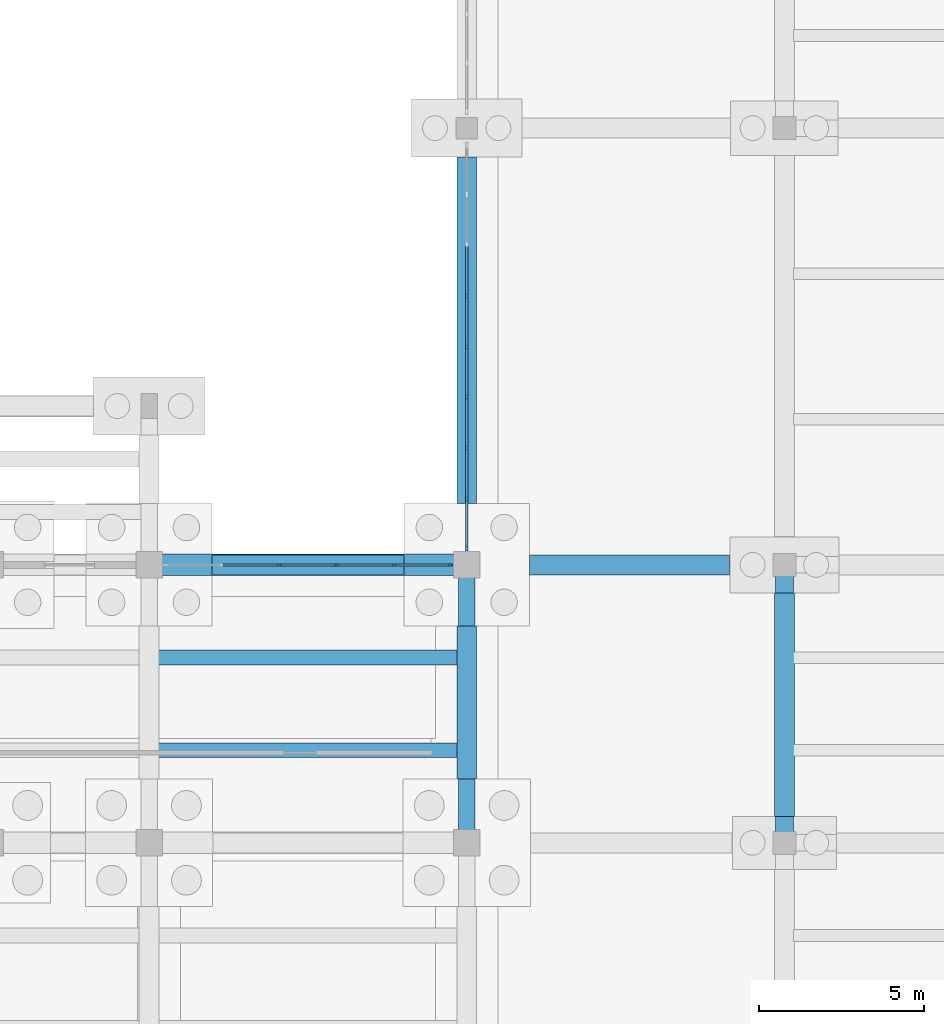
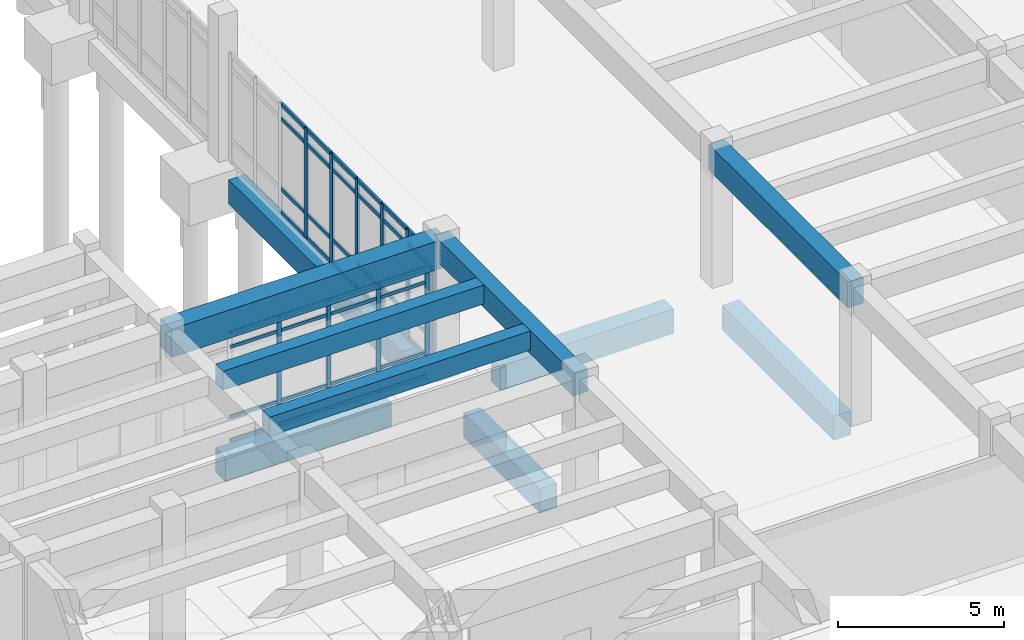
# One storey, part 44 of 102: 50 members, 10 beams, 2 elements without a shape of their own.
"""IFC4 building model written with IfcOpenShell, lengths in metres."""

from ifc_helpers import new_model, si_unit, direction, frame, origin, origin_2d, place, context, subcontext, project, spatial, rectangle, extrude, material, layer, layer_set, material_profile, profile_set, type_object, element, aggregate, save


model = new_model("IFC4")

# Units and contexts
model_context = context("Model", 3, precision=1e-05, world=origin(), true_north=direction((0.0, 1.0)))
body_context = subcontext(model_context, "Body", "Model", "MODEL_VIEW")
ifc_project = project(units=[si_unit("LENGTHUNIT", "METRE"), si_unit("AREAUNIT", "SQUARE_METRE"), si_unit("VOLUMEUNIT", "CUBIC_METRE"), si_unit("PLANEANGLEUNIT", "RADIAN"), si_unit("MASSUNIT", "GRAM", prefix="KILO")], contexts=[model_context])

# Site, building, storey
site_placement = place(None, origin())
site = spatial("IfcSite", under=ifc_project, at=site_placement, CompositionType="ELEMENT")
building_placement = place(site_placement, origin())
building = spatial("IfcBuilding", under=site, at=building_placement, Name="Kolvemor Railside Polytechnic", CompositionType="ELEMENT")
storey_placement = place(building_placement, origin())
storey = spatial("IfcBuildingStorey", under=building, at=storey_placement, Name="L00", CompositionType="ELEMENT", Elevation=0.0)

# Beams
ifc_material_1 = material(Name="Concrete C40/50", Category="concrete")
ifc_material_profile_1 = material_profile(ifc_material_1, rectangle(XDim=0.550048828125, YDim=0.949951171875, at=origin_2d()), Name="RC550x950")
ifc_profile_set_1 = profile_set([ifc_material_profile_1], Name="Concrete C40/50")
beam_type_1 = type_object("IfcBeamType", Name="BM-RC-GIRD", PredefinedType="BEAM", material=ifc_profile_set_1)
beam_1_placement = place(storey_placement, frame((144.0, 30.0, 4.635009765625), z_axis=(0.0, 1.0, 0.0), x_axis=(-1.0, 0.0, 0.0)))
element("IfcBeam", 1, at=beam_1_placement, inside=storey, type_object=beam_type_1, Name="Primary Girder L01-GY 0381", PredefinedType="BEAM", context=body_context, shape_type="SweptSolid", body=[
    extrude(rectangle(XDim=0.550048828125, YDim=0.949951171875, at=origin_2d()), origin(), (0.0, 0.0, 1.0), 8.39990234375),
])
ifc_material_2 = material(Name="Concrete C40/50", Category="concrete")
ifc_material_profile_2 = material_profile(ifc_material_2, rectangle(XDim=0.64990234375, YDim=1.050048828125, at=origin_2d()), Name="RC650x1050")
ifc_profile_set_2 = profile_set([ifc_material_profile_2], Name="Concrete C40/50")
beam_type_2 = type_object("IfcBeamType", Name="BM-RC-GIRD2", PredefinedType="BEAM", material=ifc_profile_set_2)
beam_2_placement = place(storey_placement, frame((124.800048828125, 38.39990234375, 4.5849609375), z_axis=(1.0, 0.0, 0.0), x_axis=(0.0, 1.0, 0.0)))
element("IfcBeam", 2, at=beam_2_placement, inside=storey, type_object=beam_type_2, Name="Primary Girder L01-GX 0235", PredefinedType="BEAM", context=body_context, shape_type="SweptSolid", body=[
    extrude(rectangle(XDim=0.64990234375, YDim=1.050048828125, at=origin_2d()), origin(), (0.0, 0.0, 1.0), 9.599853515625),
])
ifc_material_3 = material(Name="Concrete C40/50", Category="concrete")
ifc_material_profile_3 = material_profile(ifc_material_3, rectangle(XDim=0.5, YDim=0.85009765625, at=origin_2d()), Name="RC500x850")
ifc_profile_set_3 = profile_set([ifc_material_profile_3], Name="Concrete C40/50")
beam_type_3 = type_object("IfcBeamType", Name="BM-RC-GIRD3", PredefinedType="BEAM", material=ifc_profile_set_3)
beam_3_placement = place(storey_placement, frame((134.39990234375, 30.0, 4.68505859375), z_axis=(0.0, 1.0, 0.0), x_axis=(-1.0, 0.0, 0.0)))
element("IfcBeam", 3, at=beam_3_placement, inside=storey, type_object=beam_type_3, Name="Primary Girder L01-GY 0271", PredefinedType="BEAM", context=body_context, shape_type="SweptSolid", body=[
    extrude(rectangle(XDim=0.5, YDim=0.85009765625, at=origin_2d()), origin(), (0.0, 0.0, 1.0), 8.39990234375),
])
ifc_material_4 = material(Name="Concrete C40/50", Category="concrete")
ifc_material_profile_4 = material_profile(ifc_material_4, rectangle(XDim=0.449951171875, YDim=0.699951171875, at=origin_2d()), Name="RC450x700")
ifc_profile_set_4 = profile_set([ifc_material_profile_4], Name="Concrete C40/50")
beam_type_4 = type_object("IfcBeamType", Name="BM-RC-SEC2", PredefinedType="JOIST", material=ifc_profile_set_4)
for number, where, z_axis, x_axis, name in (
    (4, (125.050048828125, 32.800048828125, 4.760009765625), (1.0, 0.0, 0.0), (0.0, 1.0, 0.0), "Floor Joist L01-J0336"),
    (5, (125.050048828125, 35.60009765625, 4.760009765625), (1.0, 0.0, 0.0), (0.0, 1.0, 0.0), "Floor Joist L01-J0337"),
):
    element("IfcBeam", number, at=place(storey_placement, frame(where, z_axis=z_axis, x_axis=x_axis)), inside=storey, type_object=beam_type_4, Name=name, PredefinedType="JOIST", context=body_context, shape_type="SweptSolid", body=[
        extrude(rectangle(XDim=0.449951171875, YDim=0.699951171875, at=origin_2d()), origin(), (0.0, 0.0, 1.0), 9.099853515625),
    ])
ifc_material_5 = material(Name="Concrete C40/50", Category="concrete")
ifc_material_profile_5 = material_profile(ifc_material_5, rectangle(XDim=0.60009765625, YDim=0.89990234375, at=origin_2d()), Name="RC600x900")
ifc_profile_set_5 = profile_set([ifc_material_profile_5], Name="Concrete C40/50")
beam_type_5 = type_object("IfcBeamType", Name="BM-RC-TIE", PredefinedType="BEAM", material=ifc_profile_set_5)
beam_4_placement = place(storey_placement, frame((126.701904296875, 38.39990234375, -0.75), z_axis=(1.0, 0.0, 0.0), x_axis=(0.0, 1.0, 0.0)))
element("IfcBeam", 6, at=beam_4_placement, inside=storey, type_object=beam_type_5, Name="Ground Tie Beam GTB-X122", PredefinedType="BEAM", context=body_context, shape_type="SweptSolid", body=[
    extrude(rectangle(XDim=0.60009765625, YDim=0.89990234375, at=origin_2d()), origin(), (0.0, 0.0, 1.0), 5.796142578125),
])
beam_5_placement = place(storey_placement, frame((136.302001953125, 38.39990234375, -0.75), z_axis=(1.0, 0.0, 0.0), x_axis=(0.0, 1.0, 0.0)))
element("IfcBeam", 7, at=beam_5_placement, inside=storey, type_object=beam_type_5, Name="Ground Tie Beam GTB-X123", PredefinedType="BEAM", context=body_context, shape_type="SweptSolid", body=[
    extrude(rectangle(XDim=0.60009765625, YDim=0.89990234375, at=origin_2d()), origin(), (0.0, 0.0, 1.0), 6.0458984375),
])
beam_6_placement = place(storey_placement, frame((134.39990234375, 31.927001953125, -0.75), z_axis=(0.0, 1.0, 0.0), x_axis=(-1.0, 0.0, 0.0)))
element("IfcBeam", 8, at=beam_6_placement, inside=storey, type_object=beam_type_5, Name="Ground Tie Beam GTB-Y382", PredefinedType="BEAM", context=body_context, shape_type="SweptSolid", body=[
    extrude(rectangle(XDim=0.60009765625, YDim=0.89990234375, at=origin_2d()), origin(), (0.0, 0.0, 1.0), 4.62109375),
])
beam_7_placement = place(storey_placement, frame((134.39990234375, 40.251953125, -0.75), z_axis=(0.0, 1.0, 0.0), x_axis=(-1.0, 0.0, 0.0)))
element("IfcBeam", 9, at=beam_7_placement, inside=storey, type_object=beam_type_5, Name="Ground Tie Beam GTB-Y383", PredefinedType="BEAM", context=body_context, shape_type="SweptSolid", body=[
    extrude(rectangle(XDim=0.60009765625, YDim=0.89990234375, at=origin_2d()), origin(), (0.0, 0.0, 1.0), 10.470947265625),
])
beam_8_placement = place(storey_placement, frame((144.0, 30.802001953125, -0.75), z_axis=(0.0, 1.0, 0.0), x_axis=(-1.0, 0.0, 0.0)))
element("IfcBeam", 10, at=beam_8_placement, inside=storey, type_object=beam_type_5, Name="Ground Tie Beam GTB-Y395", PredefinedType="BEAM", context=body_context, shape_type="SweptSolid", body=[
    extrude(rectangle(XDim=0.60009765625, YDim=0.89990234375, at=origin_2d()), origin(), (0.0, 0.0, 1.0), 6.74609375),
])

# Curtain wall, members
ifc_material_6 = material(Name="Anodised marine aluminium and laminated low-E glass", Category="aluminium")
ifc_layer = layer(ifc_material_6, 0.179931640625, Name="CW-UNIT-STD")
ifc_layer_set = layer_set([ifc_layer], Name="Anodised marine aluminium and laminated low-E glass")
curtain_wall_type = type_object("IfcCurtainWallType", Name="CW-UNIT-STD", PredefinedType="USERDEFINED", material=ifc_layer_set)
curtain_wall_1_placement = place(storey_placement, origin())
curtain_wall_1 = element("IfcCurtainWall", 11, at=curtain_wall_1_placement, inside=storey, type_object=curtain_wall_type, Name="Curtain Wall L00-112", ObjectType="UNITISED CURTAIN WALL", PredefinedType="USERDEFINED")
ifc_material_7 = material(Name="Anodised marine aluminium 6063-T6", Category="aluminium")
ifc_material_profile_6 = material_profile(ifc_material_7, rectangle(XDim=0.06494140625, YDim=0.14990234375, at=origin_2d()), Name="CW-MUL-65x150")
ifc_profile_set_6 = profile_set([ifc_material_profile_6], Name="Anodised marine aluminium 6063-T6")
member_type_1 = type_object("IfcMemberType", Name="CWM-65x150", PredefinedType="MULLION", material=ifc_profile_set_6)
member_1_placement = place(storey_placement, frame((133.8974609375, 38.39990234375, 0.0), z_axis=(0.0, 0.0, 1.0), x_axis=(0.0, -1.0, 0.0)))
member_1 = element("IfcMember", 12, at=member_1_placement, type_object=member_type_1, Name="CW-STD mullion 1", PredefinedType="MULLION", context=body_context, shape_type="SweptSolid", body=[
    extrude(rectangle(XDim=0.06494140625, YDim=0.14990234375, at=origin_2d()), origin(), (0.0, 0.0, 1.0), 4.0400390625),
])
member_2_placement = place(storey_placement, frame((132.197998046875, 38.39990234375, 0.0), z_axis=(0.0, 0.0, 1.0), x_axis=(0.0, -1.0, 0.0)))
member_2 = element("IfcMember", 13, at=member_2_placement, type_object=member_type_1, Name="CW-STD mullion 2", PredefinedType="MULLION", context=body_context, shape_type="SweptSolid", body=[
    extrude(rectangle(XDim=0.06494140625, YDim=0.14990234375, at=origin_2d()), origin(), (0.0, 0.0, 1.0), 4.0400390625),
])
member_3_placement = place(storey_placement, frame((130.466064453125, 38.39990234375, 0.0), z_axis=(0.0, 0.0, 1.0), x_axis=(0.0, -1.0, 0.0)))
member_3 = element("IfcMember", 14, at=member_3_placement, type_object=member_type_1, Name="CW-STD mullion 3", PredefinedType="MULLION", context=body_context, shape_type="SweptSolid", body=[
    extrude(rectangle(XDim=0.06494140625, YDim=0.14990234375, at=origin_2d()), origin(), (0.0, 0.0, 1.0), 4.0400390625),
])
member_4_placement = place(storey_placement, frame((128.73388671875, 38.39990234375, 0.0), z_axis=(0.0, 0.0, 1.0), x_axis=(0.0, -1.0, 0.0)))
member_4 = element("IfcMember", 15, at=member_4_placement, type_object=member_type_1, Name="CW-STD mullion 4", PredefinedType="MULLION", context=body_context, shape_type="SweptSolid", body=[
    extrude(rectangle(XDim=0.06494140625, YDim=0.14990234375, at=origin_2d()), origin(), (0.0, 0.0, 1.0), 4.0400390625),
])

curtain_wall_2_placement = place(storey_placement, origin())
curtain_wall_2 = element("IfcCurtainWall", 16, at=curtain_wall_2_placement, inside=storey, type_object=curtain_wall_type, Name="Curtain Wall L00-060", ObjectType="UNITISED CURTAIN WALL", PredefinedType="USERDEFINED")
ifc_material_8 = material(Name="Anodised marine aluminium 6063-T6", Category="aluminium")
ifc_material_profile_7 = material_profile(ifc_material_8, rectangle(XDim=0.074951171875, YDim=0.179931640625, at=origin_2d()), Name="CW-MUL-75x180")
ifc_profile_set_7 = profile_set([ifc_material_profile_7], Name="Anodised marine aluminium 6063-T6")
member_type_2 = type_object("IfcMemberType", Name="CWM-75x180", PredefinedType="MULLION", material=ifc_profile_set_7)
member_5_placement = place(storey_placement, frame((134.39990234375, 46.532470703125, 0.0), z_axis=(0.0, 0.0, 1.0), x_axis=(1.0, 0.0, 0.0)))
member_5 = element("IfcMember", 17, at=member_5_placement, type_object=member_type_2, Name="CW-STD mullion 4", PredefinedType="MULLION", context=body_context, shape_type="SweptSolid", body=[
    extrude(rectangle(XDim=0.074951171875, YDim=0.179931640625, at=origin_2d()), origin(), (0.0, 0.0, 1.0), 4.0400390625),
])
member_6_placement = place(storey_placement, frame((134.39990234375, 45.0, 0.0), z_axis=(0.0, 0.0, 1.0), x_axis=(1.0, 0.0, 0.0)))
member_6 = element("IfcMember", 18, at=member_6_placement, type_object=member_type_2, Name="CW-STD mullion 5", PredefinedType="MULLION", context=body_context, shape_type="SweptSolid", body=[
    extrude(rectangle(XDim=0.074951171875, YDim=0.179931640625, at=origin_2d()), origin(), (0.0, 0.0, 1.0), 4.0400390625),
])
member_7_placement = place(storey_placement, frame((134.39990234375, 43.467529296875, 0.0), z_axis=(0.0, 0.0, 1.0), x_axis=(1.0, 0.0, 0.0)))
member_7 = element("IfcMember", 19, at=member_7_placement, type_object=member_type_2, Name="CW-STD mullion 6", PredefinedType="MULLION", context=body_context, shape_type="SweptSolid", body=[
    extrude(rectangle(XDim=0.074951171875, YDim=0.179931640625, at=origin_2d()), origin(), (0.0, 0.0, 1.0), 4.0400390625),
])
member_8_placement = place(storey_placement, frame((134.39990234375, 41.93505859375, 0.0), z_axis=(0.0, 0.0, 1.0), x_axis=(1.0, 0.0, 0.0)))
member_8 = element("IfcMember", 20, at=member_8_placement, type_object=member_type_2, Name="CW-STD mullion 7", PredefinedType="MULLION", context=body_context, shape_type="SweptSolid", body=[
    extrude(rectangle(XDim=0.074951171875, YDim=0.179931640625, at=origin_2d()), origin(), (0.0, 0.0, 1.0), 4.0400390625),
])
member_9_placement = place(storey_placement, frame((134.39990234375, 40.402587890625, 0.0), z_axis=(0.0, 0.0, 1.0), x_axis=(1.0, 0.0, 0.0)))
member_9 = element("IfcMember", 21, at=member_9_placement, type_object=member_type_2, Name="CW-STD mullion 8", PredefinedType="MULLION", context=body_context, shape_type="SweptSolid", body=[
    extrude(rectangle(XDim=0.074951171875, YDim=0.179931640625, at=origin_2d()), origin(), (0.0, 0.0, 1.0), 4.0400390625),
])
member_10_placement = place(storey_placement, frame((134.39990234375, 38.907470703125, 0.0), z_axis=(0.0, 0.0, 1.0), x_axis=(1.0, 0.0, 0.0)))
member_10 = element("IfcMember", 22, at=member_10_placement, type_object=member_type_2, Name="CW-STD mullion 9", PredefinedType="MULLION", context=body_context, shape_type="SweptSolid", body=[
    extrude(rectangle(XDim=0.074951171875, YDim=0.179931640625, at=origin_2d()), origin(), (0.0, 0.0, 1.0), 4.0400390625),
])

# Member
ifc_material_9 = material(Name="Anodised marine aluminium 6063-T6", Category="aluminium")
ifc_material_profile_8 = material_profile(ifc_material_9, rectangle(XDim=0.06494140625, YDim=0.1201171875, at=origin_2d()), Name="CW-TRN-65x120")
ifc_profile_set_8 = profile_set([ifc_material_profile_8], Name="Anodised marine aluminium 6063-T6")
member_type_3 = type_object("IfcMemberType", Name="CWT-65x120", PredefinedType="USERDEFINED", material=ifc_profile_set_8)
member_11_placement = place(storey_placement, frame((133.864990234375, 38.39990234375, 0.032470703125), z_axis=(-1.0, 0.0, 0.0), x_axis=(0.0, -1.0, 0.0)))
member_11 = element("IfcMember", 23, at=member_11_placement, type_object=member_type_3, Name="CW-STD transom 1.1", ObjectType="TRANSOM", PredefinedType="USERDEFINED", context=body_context, shape_type="SweptSolid", body=[
    extrude(rectangle(XDim=0.06494140625, YDim=0.1201171875, at=origin_2d()), origin(), (0.0, 0.0, 1.0), 1.634521484375),
])

member_12_placement = place(storey_placement, frame((133.864990234375, 38.39990234375, 0.89990234375), z_axis=(-1.0, 0.0, 0.0), x_axis=(0.0, -1.0, 0.0)))
member_12 = element("IfcMember", 24, at=member_12_placement, type_object=member_type_3, Name="CW-STD transom 1.2", ObjectType="TRANSOM", PredefinedType="USERDEFINED", context=body_context, shape_type="SweptSolid", body=[
    extrude(rectangle(XDim=0.06494140625, YDim=0.1201171875, at=origin_2d()), origin(), (0.0, 0.0, 1.0), 1.634521484375),
])

member_13_placement = place(storey_placement, frame((133.864990234375, 38.39990234375, 3.489990234375), z_axis=(-1.0, 0.0, 0.0), x_axis=(0.0, -1.0, 0.0)))
member_13 = element("IfcMember", 25, at=member_13_placement, type_object=member_type_3, Name="CW-STD transom 1.3", ObjectType="TRANSOM", PredefinedType="USERDEFINED", context=body_context, shape_type="SweptSolid", body=[
    extrude(rectangle(XDim=0.06494140625, YDim=0.1201171875, at=origin_2d()), origin(), (0.0, 0.0, 1.0), 1.634521484375),
])

member_14_placement = place(storey_placement, frame((133.864990234375, 38.39990234375, 4.007568359375), z_axis=(-1.0, 0.0, 0.0), x_axis=(0.0, -1.0, 0.0)))
member_14 = element("IfcMember", 26, at=member_14_placement, type_object=member_type_3, Name="CW-STD transom 1.4", ObjectType="TRANSOM", PredefinedType="USERDEFINED", context=body_context, shape_type="SweptSolid", body=[
    extrude(rectangle(XDim=0.06494140625, YDim=0.1201171875, at=origin_2d()), origin(), (0.0, 0.0, 1.0), 1.634521484375),
])

member_15_placement = place(storey_placement, frame((132.16552734375, 38.39990234375, 0.032470703125), z_axis=(-1.0, 0.0, 0.0), x_axis=(0.0, -1.0, 0.0)))
member_15 = element("IfcMember", 27, at=member_15_placement, type_object=member_type_3, Name="CW-STD transom 2.1", ObjectType="TRANSOM", PredefinedType="USERDEFINED", context=body_context, shape_type="SweptSolid", body=[
    extrude(rectangle(XDim=0.06494140625, YDim=0.1201171875, at=origin_2d()), origin(), (0.0, 0.0, 1.0), 1.6669921875),
])

member_16_placement = place(storey_placement, frame((132.16552734375, 38.39990234375, 0.89990234375), z_axis=(-1.0, 0.0, 0.0), x_axis=(0.0, -1.0, 0.0)))
member_16 = element("IfcMember", 28, at=member_16_placement, type_object=member_type_3, Name="CW-STD transom 2.2", ObjectType="TRANSOM", PredefinedType="USERDEFINED", context=body_context, shape_type="SweptSolid", body=[
    extrude(rectangle(XDim=0.06494140625, YDim=0.1201171875, at=origin_2d()), origin(), (0.0, 0.0, 1.0), 1.6669921875),
])

member_17_placement = place(storey_placement, frame((132.16552734375, 38.39990234375, 3.489990234375), z_axis=(-1.0, 0.0, 0.0), x_axis=(0.0, -1.0, 0.0)))
member_17 = element("IfcMember", 29, at=member_17_placement, type_object=member_type_3, Name="CW-STD transom 2.3", ObjectType="TRANSOM", PredefinedType="USERDEFINED", context=body_context, shape_type="SweptSolid", body=[
    extrude(rectangle(XDim=0.06494140625, YDim=0.1201171875, at=origin_2d()), origin(), (0.0, 0.0, 1.0), 1.6669921875),
])

member_18_placement = place(storey_placement, frame((132.16552734375, 38.39990234375, 4.007568359375), z_axis=(-1.0, 0.0, 0.0), x_axis=(0.0, -1.0, 0.0)))
member_18 = element("IfcMember", 30, at=member_18_placement, type_object=member_type_3, Name="CW-STD transom 2.4", ObjectType="TRANSOM", PredefinedType="USERDEFINED", context=body_context, shape_type="SweptSolid", body=[
    extrude(rectangle(XDim=0.06494140625, YDim=0.1201171875, at=origin_2d()), origin(), (0.0, 0.0, 1.0), 1.6669921875),
])

member_19_placement = place(storey_placement, frame((130.43359375, 38.39990234375, 0.032470703125), z_axis=(-1.0, 0.0, 0.0), x_axis=(0.0, -1.0, 0.0)))
member_19 = element("IfcMember", 31, at=member_19_placement, type_object=member_type_3, Name="CW-STD transom 3.1", ObjectType="TRANSOM", PredefinedType="USERDEFINED", context=body_context, shape_type="SweptSolid", body=[
    extrude(rectangle(XDim=0.06494140625, YDim=0.1201171875, at=origin_2d()), origin(), (0.0, 0.0, 1.0), 1.6669921875),
])

member_20_placement = place(storey_placement, frame((130.43359375, 38.39990234375, 0.89990234375), z_axis=(-1.0, 0.0, 0.0), x_axis=(0.0, -1.0, 0.0)))
member_20 = element("IfcMember", 32, at=member_20_placement, type_object=member_type_3, Name="CW-STD transom 3.2", ObjectType="TRANSOM", PredefinedType="USERDEFINED", context=body_context, shape_type="SweptSolid", body=[
    extrude(rectangle(XDim=0.06494140625, YDim=0.1201171875, at=origin_2d()), origin(), (0.0, 0.0, 1.0), 1.6669921875),
])

member_21_placement = place(storey_placement, frame((130.43359375, 38.39990234375, 3.489990234375), z_axis=(-1.0, 0.0, 0.0), x_axis=(0.0, -1.0, 0.0)))
member_21 = element("IfcMember", 33, at=member_21_placement, type_object=member_type_3, Name="CW-STD transom 3.3", ObjectType="TRANSOM", PredefinedType="USERDEFINED", context=body_context, shape_type="SweptSolid", body=[
    extrude(rectangle(XDim=0.06494140625, YDim=0.1201171875, at=origin_2d()), origin(), (0.0, 0.0, 1.0), 1.6669921875),
])

member_22_placement = place(storey_placement, frame((130.43359375, 38.39990234375, 4.007568359375), z_axis=(-1.0, 0.0, 0.0), x_axis=(0.0, -1.0, 0.0)))
member_22 = element("IfcMember", 34, at=member_22_placement, type_object=member_type_3, Name="CW-STD transom 3.4", ObjectType="TRANSOM", PredefinedType="USERDEFINED", context=body_context, shape_type="SweptSolid", body=[
    extrude(rectangle(XDim=0.06494140625, YDim=0.1201171875, at=origin_2d()), origin(), (0.0, 0.0, 1.0), 1.6669921875),
])

member_23_placement = place(storey_placement, frame((128.701416015625, 38.39990234375, 0.032470703125), z_axis=(-1.0, 0.0, 0.0), x_axis=(0.0, -1.0, 0.0)))
member_23 = element("IfcMember", 35, at=member_23_placement, type_object=member_type_3, Name="CW-STD transom 4.1", ObjectType="TRANSOM", PredefinedType="USERDEFINED", context=body_context, shape_type="SweptSolid", body=[
    extrude(rectangle(XDim=0.06494140625, YDim=0.1201171875, at=origin_2d()), origin(), (0.0, 0.0, 1.0), 1.6669921875),
])

member_24_placement = place(storey_placement, frame((128.701416015625, 38.39990234375, 0.89990234375), z_axis=(-1.0, 0.0, 0.0), x_axis=(0.0, -1.0, 0.0)))
member_24 = element("IfcMember", 36, at=member_24_placement, type_object=member_type_3, Name="CW-STD transom 4.2", ObjectType="TRANSOM", PredefinedType="USERDEFINED", context=body_context, shape_type="SweptSolid", body=[
    extrude(rectangle(XDim=0.06494140625, YDim=0.1201171875, at=origin_2d()), origin(), (0.0, 0.0, 1.0), 1.6669921875),
])

member_25_placement = place(storey_placement, frame((128.701416015625, 38.39990234375, 3.489990234375), z_axis=(-1.0, 0.0, 0.0), x_axis=(0.0, -1.0, 0.0)))
member_25 = element("IfcMember", 37, at=member_25_placement, type_object=member_type_3, Name="CW-STD transom 4.3", ObjectType="TRANSOM", PredefinedType="USERDEFINED", context=body_context, shape_type="SweptSolid", body=[
    extrude(rectangle(XDim=0.06494140625, YDim=0.1201171875, at=origin_2d()), origin(), (0.0, 0.0, 1.0), 1.6669921875),
])

member_26_placement = place(storey_placement, frame((128.701416015625, 38.39990234375, 4.007568359375), z_axis=(-1.0, 0.0, 0.0), x_axis=(0.0, -1.0, 0.0)))
member_26 = element("IfcMember", 38, at=member_26_placement, type_object=member_type_3, Name="CW-STD transom 4.4", ObjectType="TRANSOM", PredefinedType="USERDEFINED", context=body_context, shape_type="SweptSolid", body=[
    extrude(rectangle(XDim=0.06494140625, YDim=0.1201171875, at=origin_2d()), origin(), (0.0, 0.0, 1.0), 1.6669921875),
])

aggregate(curtain_wall_1, [member_1, member_2, member_3, member_4, member_11, member_12, member_13, member_14, member_15, member_16, member_17, member_18, member_19, member_20, member_21, member_22, member_23, member_24, member_25, member_26])

ifc_material_10 = material(Name="Anodised marine aluminium 6063-T6", Category="aluminium")
ifc_material_profile_9 = material_profile(ifc_material_10, rectangle(XDim=0.074951171875, YDim=0.139892578125, at=origin_2d()), Name="CW-TRN-75x140")
ifc_profile_set_9 = profile_set([ifc_material_profile_9], Name="Anodised marine aluminium 6063-T6")
member_type_4 = type_object("IfcMemberType", Name="CWT-75x140", PredefinedType="USERDEFINED", material=ifc_profile_set_9)
member_27_placement = place(storey_placement, frame((134.39990234375, 48.027587890625, 0.03759765625), z_axis=(0.0, -1.0, 0.0), x_axis=(1.0, 0.0, 0.0)))
member_27 = element("IfcMember", 39, at=member_27_placement, type_object=member_type_4, Name="CW-STD transom 3.1", ObjectType="TRANSOM", PredefinedType="USERDEFINED", context=body_context, shape_type="SweptSolid", body=[
    extrude(rectangle(XDim=0.074951171875, YDim=0.139892578125, at=origin_2d()), origin(), (0.0, 0.0, 1.0), 1.45751953125),
])

member_28_placement = place(storey_placement, frame((134.39990234375, 48.027587890625, 0.89990234375), z_axis=(0.0, -1.0, 0.0), x_axis=(1.0, 0.0, 0.0)))
member_28 = element("IfcMember", 40, at=member_28_placement, type_object=member_type_4, Name="CW-STD transom 3.2", ObjectType="TRANSOM", PredefinedType="USERDEFINED", context=body_context, shape_type="SweptSolid", body=[
    extrude(rectangle(XDim=0.074951171875, YDim=0.139892578125, at=origin_2d()), origin(), (0.0, 0.0, 1.0), 1.45751953125),
])

member_29_placement = place(storey_placement, frame((134.39990234375, 48.027587890625, 3.489990234375), z_axis=(0.0, -1.0, 0.0), x_axis=(1.0, 0.0, 0.0)))
member_29 = element("IfcMember", 41, at=member_29_placement, type_object=member_type_4, Name="CW-STD transom 3.3", ObjectType="TRANSOM", PredefinedType="USERDEFINED", context=body_context, shape_type="SweptSolid", body=[
    extrude(rectangle(XDim=0.074951171875, YDim=0.139892578125, at=origin_2d()), origin(), (0.0, 0.0, 1.0), 1.45751953125),
])

member_30_placement = place(storey_placement, frame((134.39990234375, 48.027587890625, 4.00244140625), z_axis=(0.0, -1.0, 0.0), x_axis=(1.0, 0.0, 0.0)))
member_30 = element("IfcMember", 42, at=member_30_placement, type_object=member_type_4, Name="CW-STD transom 3.4", ObjectType="TRANSOM", PredefinedType="USERDEFINED", context=body_context, shape_type="SweptSolid", body=[
    extrude(rectangle(XDim=0.074951171875, YDim=0.139892578125, at=origin_2d()), origin(), (0.0, 0.0, 1.0), 1.45751953125),
])

member_31_placement = place(storey_placement, frame((134.39990234375, 46.4951171875, 0.03759765625), z_axis=(0.0, -1.0, 0.0), x_axis=(1.0, 0.0, 0.0)))
member_31 = element("IfcMember", 43, at=member_31_placement, type_object=member_type_4, Name="CW-STD transom 4.1", ObjectType="TRANSOM", PredefinedType="USERDEFINED", context=body_context, shape_type="SweptSolid", body=[
    extrude(rectangle(XDim=0.074951171875, YDim=0.139892578125, at=origin_2d()), origin(), (0.0, 0.0, 1.0), 1.45751953125),
])

member_32_placement = place(storey_placement, frame((134.39990234375, 46.4951171875, 0.89990234375), z_axis=(0.0, -1.0, 0.0), x_axis=(1.0, 0.0, 0.0)))
member_32 = element("IfcMember", 44, at=member_32_placement, type_object=member_type_4, Name="CW-STD transom 4.2", ObjectType="TRANSOM", PredefinedType="USERDEFINED", context=body_context, shape_type="SweptSolid", body=[
    extrude(rectangle(XDim=0.074951171875, YDim=0.139892578125, at=origin_2d()), origin(), (0.0, 0.0, 1.0), 1.45751953125),
])

member_33_placement = place(storey_placement, frame((134.39990234375, 46.4951171875, 3.489990234375), z_axis=(0.0, -1.0, 0.0), x_axis=(1.0, 0.0, 0.0)))
member_33 = element("IfcMember", 45, at=member_33_placement, type_object=member_type_4, Name="CW-STD transom 4.3", ObjectType="TRANSOM", PredefinedType="USERDEFINED", context=body_context, shape_type="SweptSolid", body=[
    extrude(rectangle(XDim=0.074951171875, YDim=0.139892578125, at=origin_2d()), origin(), (0.0, 0.0, 1.0), 1.45751953125),
])

member_34_placement = place(storey_placement, frame((134.39990234375, 46.4951171875, 4.00244140625), z_axis=(0.0, -1.0, 0.0), x_axis=(1.0, 0.0, 0.0)))
member_34 = element("IfcMember", 46, at=member_34_placement, type_object=member_type_4, Name="CW-STD transom 4.4", ObjectType="TRANSOM", PredefinedType="USERDEFINED", context=body_context, shape_type="SweptSolid", body=[
    extrude(rectangle(XDim=0.074951171875, YDim=0.139892578125, at=origin_2d()), origin(), (0.0, 0.0, 1.0), 1.45751953125),
])

member_35_placement = place(storey_placement, frame((134.39990234375, 44.96240234375, 0.03759765625), z_axis=(0.0, -1.0, 0.0), x_axis=(1.0, 0.0, 0.0)))
member_35 = element("IfcMember", 47, at=member_35_placement, type_object=member_type_4, Name="CW-STD transom 5.1", ObjectType="TRANSOM", PredefinedType="USERDEFINED", context=body_context, shape_type="SweptSolid", body=[
    extrude(rectangle(XDim=0.074951171875, YDim=0.139892578125, at=origin_2d()), origin(), (0.0, 0.0, 1.0), 1.45751953125),
])

member_36_placement = place(storey_placement, frame((134.39990234375, 44.96240234375, 0.89990234375), z_axis=(0.0, -1.0, 0.0), x_axis=(1.0, 0.0, 0.0)))
member_36 = element("IfcMember", 48, at=member_36_placement, type_object=member_type_4, Name="CW-STD transom 5.2", ObjectType="TRANSOM", PredefinedType="USERDEFINED", context=body_context, shape_type="SweptSolid", body=[
    extrude(rectangle(XDim=0.074951171875, YDim=0.139892578125, at=origin_2d()), origin(), (0.0, 0.0, 1.0), 1.45751953125),
])

member_37_placement = place(storey_placement, frame((134.39990234375, 44.96240234375, 3.489990234375), z_axis=(0.0, -1.0, 0.0), x_axis=(1.0, 0.0, 0.0)))
member_37 = element("IfcMember", 49, at=member_37_placement, type_object=member_type_4, Name="CW-STD transom 5.3", ObjectType="TRANSOM", PredefinedType="USERDEFINED", context=body_context, shape_type="SweptSolid", body=[
    extrude(rectangle(XDim=0.074951171875, YDim=0.139892578125, at=origin_2d()), origin(), (0.0, 0.0, 1.0), 1.45751953125),
])

member_38_placement = place(storey_placement, frame((134.39990234375, 44.96240234375, 4.00244140625), z_axis=(0.0, -1.0, 0.0), x_axis=(1.0, 0.0, 0.0)))
member_38 = element("IfcMember", 50, at=member_38_placement, type_object=member_type_4, Name="CW-STD transom 5.4", ObjectType="TRANSOM", PredefinedType="USERDEFINED", context=body_context, shape_type="SweptSolid", body=[
    extrude(rectangle(XDim=0.074951171875, YDim=0.139892578125, at=origin_2d()), origin(), (0.0, 0.0, 1.0), 1.45751953125),
])

member_39_placement = place(storey_placement, frame((134.39990234375, 43.429931640625, 0.03759765625), z_axis=(0.0, -1.0, 0.0), x_axis=(1.0, 0.0, 0.0)))
member_39 = element("IfcMember", 51, at=member_39_placement, type_object=member_type_4, Name="CW-STD transom 6.1", ObjectType="TRANSOM", PredefinedType="USERDEFINED", context=body_context, shape_type="SweptSolid", body=[
    extrude(rectangle(XDim=0.074951171875, YDim=0.139892578125, at=origin_2d()), origin(), (0.0, 0.0, 1.0), 1.45751953125),
])

member_40_placement = place(storey_placement, frame((134.39990234375, 43.429931640625, 0.89990234375), z_axis=(0.0, -1.0, 0.0), x_axis=(1.0, 0.0, 0.0)))
member_40 = element("IfcMember", 52, at=member_40_placement, type_object=member_type_4, Name="CW-STD transom 6.2", ObjectType="TRANSOM", PredefinedType="USERDEFINED", context=body_context, shape_type="SweptSolid", body=[
    extrude(rectangle(XDim=0.074951171875, YDim=0.139892578125, at=origin_2d()), origin(), (0.0, 0.0, 1.0), 1.45751953125),
])

member_41_placement = place(storey_placement, frame((134.39990234375, 43.429931640625, 3.489990234375), z_axis=(0.0, -1.0, 0.0), x_axis=(1.0, 0.0, 0.0)))
member_41 = element("IfcMember", 53, at=member_41_placement, type_object=member_type_4, Name="CW-STD transom 6.3", ObjectType="TRANSOM", PredefinedType="USERDEFINED", context=body_context, shape_type="SweptSolid", body=[
    extrude(rectangle(XDim=0.074951171875, YDim=0.139892578125, at=origin_2d()), origin(), (0.0, 0.0, 1.0), 1.45751953125),
])

member_42_placement = place(storey_placement, frame((134.39990234375, 43.429931640625, 4.00244140625), z_axis=(0.0, -1.0, 0.0), x_axis=(1.0, 0.0, 0.0)))
member_42 = element("IfcMember", 54, at=member_42_placement, type_object=member_type_4, Name="CW-STD transom 6.4", ObjectType="TRANSOM", PredefinedType="USERDEFINED", context=body_context, shape_type="SweptSolid", body=[
    extrude(rectangle(XDim=0.074951171875, YDim=0.139892578125, at=origin_2d()), origin(), (0.0, 0.0, 1.0), 1.45751953125),
])

member_43_placement = place(storey_placement, frame((134.39990234375, 41.8974609375, 0.03759765625), z_axis=(0.0, -1.0, 0.0), x_axis=(1.0, 0.0, 0.0)))
member_43 = element("IfcMember", 55, at=member_43_placement, type_object=member_type_4, Name="CW-STD transom 7.1", ObjectType="TRANSOM", PredefinedType="USERDEFINED", context=body_context, shape_type="SweptSolid", body=[
    extrude(rectangle(XDim=0.074951171875, YDim=0.139892578125, at=origin_2d()), origin(), (0.0, 0.0, 1.0), 1.45751953125),
])

member_44_placement = place(storey_placement, frame((134.39990234375, 41.8974609375, 0.89990234375), z_axis=(0.0, -1.0, 0.0), x_axis=(1.0, 0.0, 0.0)))
member_44 = element("IfcMember", 56, at=member_44_placement, type_object=member_type_4, Name="CW-STD transom 7.2", ObjectType="TRANSOM", PredefinedType="USERDEFINED", context=body_context, shape_type="SweptSolid", body=[
    extrude(rectangle(XDim=0.074951171875, YDim=0.139892578125, at=origin_2d()), origin(), (0.0, 0.0, 1.0), 1.45751953125),
])

member_45_placement = place(storey_placement, frame((134.39990234375, 41.8974609375, 3.489990234375), z_axis=(0.0, -1.0, 0.0), x_axis=(1.0, 0.0, 0.0)))
member_45 = element("IfcMember", 57, at=member_45_placement, type_object=member_type_4, Name="CW-STD transom 7.3", ObjectType="TRANSOM", PredefinedType="USERDEFINED", context=body_context, shape_type="SweptSolid", body=[
    extrude(rectangle(XDim=0.074951171875, YDim=0.139892578125, at=origin_2d()), origin(), (0.0, 0.0, 1.0), 1.45751953125),
])

member_46_placement = place(storey_placement, frame((134.39990234375, 41.8974609375, 4.00244140625), z_axis=(0.0, -1.0, 0.0), x_axis=(1.0, 0.0, 0.0)))
member_46 = element("IfcMember", 58, at=member_46_placement, type_object=member_type_4, Name="CW-STD transom 7.4", ObjectType="TRANSOM", PredefinedType="USERDEFINED", context=body_context, shape_type="SweptSolid", body=[
    extrude(rectangle(XDim=0.074951171875, YDim=0.139892578125, at=origin_2d()), origin(), (0.0, 0.0, 1.0), 1.45751953125),
])

member_47_placement = place(storey_placement, frame((134.39990234375, 40.364990234375, 0.03759765625), z_axis=(0.0, -1.0, 0.0), x_axis=(1.0, 0.0, 0.0)))
member_47 = element("IfcMember", 59, at=member_47_placement, type_object=member_type_4, Name="CW-STD transom 8.1", ObjectType="TRANSOM", PredefinedType="USERDEFINED", context=body_context, shape_type="SweptSolid", body=[
    extrude(rectangle(XDim=0.074951171875, YDim=0.139892578125, at=origin_2d()), origin(), (0.0, 0.0, 1.0), 1.419921875),
])

member_48_placement = place(storey_placement, frame((134.39990234375, 40.364990234375, 0.89990234375), z_axis=(0.0, -1.0, 0.0), x_axis=(1.0, 0.0, 0.0)))
member_48 = element("IfcMember", 60, at=member_48_placement, type_object=member_type_4, Name="CW-STD transom 8.2", ObjectType="TRANSOM", PredefinedType="USERDEFINED", context=body_context, shape_type="SweptSolid", body=[
    extrude(rectangle(XDim=0.074951171875, YDim=0.139892578125, at=origin_2d()), origin(), (0.0, 0.0, 1.0), 1.419921875),
])

member_49_placement = place(storey_placement, frame((134.39990234375, 40.364990234375, 3.489990234375), z_axis=(0.0, -1.0, 0.0), x_axis=(1.0, 0.0, 0.0)))
member_49 = element("IfcMember", 61, at=member_49_placement, type_object=member_type_4, Name="CW-STD transom 8.3", ObjectType="TRANSOM", PredefinedType="USERDEFINED", context=body_context, shape_type="SweptSolid", body=[
    extrude(rectangle(XDim=0.074951171875, YDim=0.139892578125, at=origin_2d()), origin(), (0.0, 0.0, 1.0), 1.419921875),
])

member_50_placement = place(storey_placement, frame((134.39990234375, 40.364990234375, 4.00244140625), z_axis=(0.0, -1.0, 0.0), x_axis=(1.0, 0.0, 0.0)))
member_50 = element("IfcMember", 62, at=member_50_placement, type_object=member_type_4, Name="CW-STD transom 8.4", ObjectType="TRANSOM", PredefinedType="USERDEFINED", context=body_context, shape_type="SweptSolid", body=[
    extrude(rectangle(XDim=0.074951171875, YDim=0.139892578125, at=origin_2d()), origin(), (0.0, 0.0, 1.0), 1.419921875),
])

aggregate(curtain_wall_2, [member_5, member_6, member_7, member_8, member_9, member_10, member_27, member_28, member_29, member_30, member_31, member_32, member_33, member_34, member_35, member_36, member_37, member_38, member_39, member_40, member_41, member_42, member_43, member_44, member_45, member_46, member_47, member_48, member_49, member_50])

save(model, "model.ifc")
